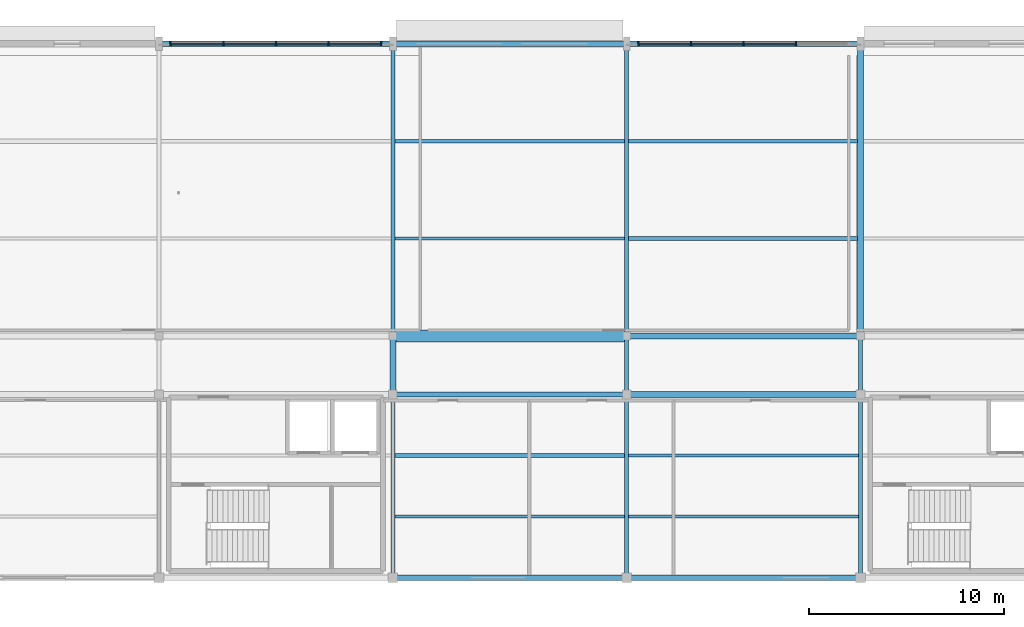
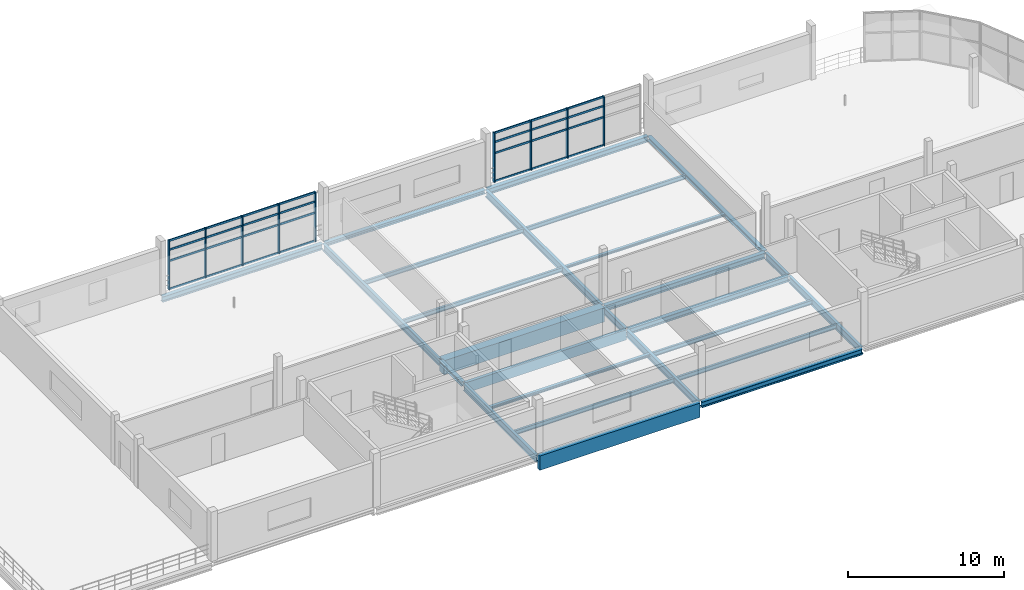
# One storey, part 2 of 13: 37 members, 26 beams, 2 elements without a shape of their own.
"""IFC4 building model written with IfcOpenShell, lengths in metres."""

from ifc_helpers import new_model, si_unit, direction, frame, origin, origin_2d, place, context, subcontext, project, spatial, rectangle, i_section, extrude, material, material_profile, profile_set, type_object, element, aggregate, save


model = new_model("IFC4")

# Units and contexts
model_context = context("Model", 3, precision=1e-05, world=origin(), true_north=direction((0.0, 1.0)))
body_context = subcontext(model_context, "Body", "Model", "MODEL_VIEW")
ifc_project = project(units=[si_unit("LENGTHUNIT", "METRE"), si_unit("AREAUNIT", "SQUARE_METRE"), si_unit("VOLUMEUNIT", "CUBIC_METRE"), si_unit("PLANEANGLEUNIT", "RADIAN"), si_unit("MASSUNIT", "GRAM", prefix="KILO"), si_unit("THERMODYNAMICTEMPERATUREUNIT", "KELVIN"), si_unit("POWERUNIT", "WATT")], contexts=[model_context])

# Site, building, storey
site_placement = place(None, origin())
site = spatial("IfcSite", under=ifc_project, at=site_placement, CompositionType="ELEMENT")
building_placement = place(site_placement, origin())
building = spatial("IfcBuilding", under=site, at=building_placement, Name="Solmara Park Aquatics Centre", CompositionType="ELEMENT")
storey_placement = place(building_placement, frame((0.0, 0.0, 14.39990234375)))
storey = spatial("IfcBuildingStorey", under=building, at=storey_placement, Name="L03", CompositionType="ELEMENT", Elevation=14.39990234375)

# Curtain wall, members
ifc_material_1 = material(Name="Anodised Aluminium Curtain Wall Framing", Category="aluminium")
curtain_wall_type = type_object("IfcCurtainWallType", Name="ARC-CW-SYS04", PredefinedType="USERDEFINED", material=ifc_material_1)
curtain_wall_1_placement = place(storey_placement, origin())
curtain_wall_1 = element("IfcCurtainWall", 1, at=curtain_wall_1_placement, inside=storey, type_object=curtain_wall_type, Name="Curtain Wall CW-130", ObjectType="CURTAIN WALL", PredefinedType="USERDEFINED")
ifc_material_2 = material(Name="Anodised Aluminium Alloy 6063-T6", Category="aluminium")
ifc_material_profile_1 = material_profile(ifc_material_2, rectangle(XDim=0.074951171875, YDim=0.219970703125, at=origin_2d()), Name="ALU MULLION 75x220")
ifc_profile_set_1 = profile_set([ifc_material_profile_1], Name="Anodised Aluminium Alloy 6063-T6")
member_type_1 = type_object("IfcMemberType", Name="ARC-CWM-75x220", PredefinedType="MULLION", material=ifc_profile_set_1)
member_1_placement = place(storey_placement, frame((49.199951171875, 136.0, 0.0), z_axis=(0.0, 0.0, 1.0), x_axis=(1.0, 0.0, 0.0)))
member_1 = element("IfcMember", 2, at=member_1_placement, type_object=member_type_1, Name="CW-130 mullion 1", PredefinedType="MULLION", context=body_context, shape_type="SweptSolid", body=[
    extrude(rectangle(XDim=0.074951171875, YDim=0.219970703125, at=origin_2d()), origin(), (0.0, 0.0, 1.0), 3.85009765625),
])
member_2_placement = place(storey_placement, frame((51.89990234375, 136.0, 0.0), z_axis=(0.0, 0.0, 1.0), x_axis=(1.0, 0.0, 0.0)))
member_2 = element("IfcMember", 3, at=member_2_placement, type_object=member_type_1, Name="CW-130 mullion 2", PredefinedType="MULLION", context=body_context, shape_type="SweptSolid", body=[
    extrude(rectangle(XDim=0.074951171875, YDim=0.219970703125, at=origin_2d()), origin(), (0.0, 0.0, 1.0), 3.85009765625),
])
member_3_placement = place(storey_placement, frame((54.60009765625, 136.0, 0.0), z_axis=(0.0, 0.0, 1.0), x_axis=(1.0, 0.0, 0.0)))
member_3 = element("IfcMember", 4, at=member_3_placement, type_object=member_type_1, Name="CW-130 mullion 3", PredefinedType="MULLION", context=body_context, shape_type="SweptSolid", body=[
    extrude(rectangle(XDim=0.074951171875, YDim=0.219970703125, at=origin_2d()), origin(), (0.0, 0.0, 1.0), 3.85009765625),
])
member_4_placement = place(storey_placement, frame((57.300048828125, 136.0, 0.0), z_axis=(0.0, 0.0, 1.0), x_axis=(1.0, 0.0, 0.0)))
member_4 = element("IfcMember", 5, at=member_4_placement, type_object=member_type_1, Name="CW-130 mullion 4", PredefinedType="MULLION", context=body_context, shape_type="SweptSolid", body=[
    extrude(rectangle(XDim=0.074951171875, YDim=0.219970703125, at=origin_2d()), origin(), (0.0, 0.0, 1.0), 3.85009765625),
])
member_5_placement = place(storey_placement, frame((60.0, 136.0, 0.0), z_axis=(0.0, 0.0, 1.0), x_axis=(1.0, 0.0, 0.0)))
member_5 = element("IfcMember", 6, at=member_5_placement, type_object=member_type_1, Name="CW-130 mullion 5", PredefinedType="MULLION", context=body_context, shape_type="SweptSolid", body=[
    extrude(rectangle(XDim=0.074951171875, YDim=0.219970703125, at=origin_2d()), origin(), (0.0, 0.0, 1.0), 3.85009765625),
])

curtain_wall_2_placement = place(storey_placement, origin())
curtain_wall_2 = element("IfcCurtainWall", 7, at=curtain_wall_2_placement, inside=storey, type_object=curtain_wall_type, Name="Curtain Wall CW-131", ObjectType="CURTAIN WALL", PredefinedType="USERDEFINED")
member_6_placement = place(storey_placement, frame((73.199951171875, 136.0, 0.0), z_axis=(0.0, 0.0, 1.0), x_axis=(1.0, 0.0, 0.0)))
member_6 = element("IfcMember", 8, at=member_6_placement, type_object=member_type_1, Name="CW-131 mullion 1", PredefinedType="MULLION", context=body_context, shape_type="SweptSolid", body=[
    extrude(rectangle(XDim=0.074951171875, YDim=0.219970703125, at=origin_2d()), origin(), (0.0, 0.0, 1.0), 3.85009765625),
])
member_7_placement = place(storey_placement, frame((75.89990234375, 136.0, 0.0), z_axis=(0.0, 0.0, 1.0), x_axis=(1.0, 0.0, 0.0)))
member_7 = element("IfcMember", 9, at=member_7_placement, type_object=member_type_1, Name="CW-131 mullion 2", PredefinedType="MULLION", context=body_context, shape_type="SweptSolid", body=[
    extrude(rectangle(XDim=0.074951171875, YDim=0.219970703125, at=origin_2d()), origin(), (0.0, 0.0, 1.0), 3.85009765625),
])
member_8_placement = place(storey_placement, frame((78.60009765625, 136.0, 0.0), z_axis=(0.0, 0.0, 1.0), x_axis=(1.0, 0.0, 0.0)))
member_8 = element("IfcMember", 10, at=member_8_placement, type_object=member_type_1, Name="CW-131 mullion 3", PredefinedType="MULLION", context=body_context, shape_type="SweptSolid", body=[
    extrude(rectangle(XDim=0.074951171875, YDim=0.219970703125, at=origin_2d()), origin(), (0.0, 0.0, 1.0), 3.85009765625),
])
member_9_placement = place(storey_placement, frame((81.300048828125, 136.0, 0.0), z_axis=(0.0, 0.0, 1.0), x_axis=(1.0, 0.0, 0.0)))
member_9 = element("IfcMember", 11, at=member_9_placement, type_object=member_type_1, Name="CW-131 mullion 4", PredefinedType="MULLION", context=body_context, shape_type="SweptSolid", body=[
    extrude(rectangle(XDim=0.074951171875, YDim=0.219970703125, at=origin_2d()), origin(), (0.0, 0.0, 1.0), 3.85009765625),
])

# Member
ifc_material_profile_2 = material_profile(ifc_material_2, rectangle(XDim=0.074951171875, YDim=0.14990234375, at=origin_2d()), Name="ALU TRANSOM 75x150")
ifc_profile_set_2 = profile_set([ifc_material_profile_2], Name="Anodised Aluminium Alloy 6063-T6")
member_type_2 = type_object("IfcMemberType", Name="ARC-CWT-75x150", PredefinedType="USERDEFINED", material=ifc_profile_set_2)
member_10_placement = place(storey_placement, frame((49.219970703125, 136.0, 0.0400390625), z_axis=(1.0, 0.0, 0.0), x_axis=(0.0, 1.0, 0.0)))
member_10 = element("IfcMember", 12, at=member_10_placement, type_object=member_type_2, Name="CW-130 transom 1", ObjectType="TRANSOM", PredefinedType="USERDEFINED", context=body_context, shape_type="SweptSolid", body=[
    extrude(rectangle(XDim=0.074951171875, YDim=0.14990234375, at=origin_2d()), origin(), (0.0, 0.0, 1.0), 2.6201171875),
])

member_11_placement = place(storey_placement, frame((49.219970703125, 136.0, 2.233154296875), z_axis=(1.0, 0.0, 0.0), x_axis=(0.0, 1.0, 0.0)))
member_11 = element("IfcMember", 13, at=member_11_placement, type_object=member_type_2, Name="CW-130 transom 2", ObjectType="TRANSOM", PredefinedType="USERDEFINED", context=body_context, shape_type="SweptSolid", body=[
    extrude(rectangle(XDim=0.074951171875, YDim=0.14990234375, at=origin_2d()), origin(), (0.0, 0.0, 1.0), 2.6201171875),
])

member_12_placement = place(storey_placement, frame((49.219970703125, 136.0, 3.10009765625), z_axis=(1.0, 0.0, 0.0), x_axis=(0.0, 1.0, 0.0)))
member_12 = element("IfcMember", 14, at=member_12_placement, type_object=member_type_2, Name="CW-130 transom 3", ObjectType="TRANSOM", PredefinedType="USERDEFINED", context=body_context, shape_type="SweptSolid", body=[
    extrude(rectangle(XDim=0.074951171875, YDim=0.14990234375, at=origin_2d()), origin(), (0.0, 0.0, 1.0), 2.6201171875),
])

member_13_placement = place(storey_placement, frame((49.219970703125, 136.0, 3.81005859375), z_axis=(1.0, 0.0, 0.0), x_axis=(0.0, 1.0, 0.0)))
member_13 = element("IfcMember", 15, at=member_13_placement, type_object=member_type_2, Name="CW-130 transom 4", ObjectType="TRANSOM", PredefinedType="USERDEFINED", context=body_context, shape_type="SweptSolid", body=[
    extrude(rectangle(XDim=0.074951171875, YDim=0.14990234375, at=origin_2d()), origin(), (0.0, 0.0, 1.0), 2.6201171875),
])

member_14_placement = place(storey_placement, frame((51.919921875, 136.0, 0.0400390625), z_axis=(1.0, 0.0, 0.0), x_axis=(0.0, 1.0, 0.0)))
member_14 = element("IfcMember", 16, at=member_14_placement, type_object=member_type_2, Name="CW-130 transom 5", ObjectType="TRANSOM", PredefinedType="USERDEFINED", context=body_context, shape_type="SweptSolid", body=[
    extrude(rectangle(XDim=0.074951171875, YDim=0.14990234375, at=origin_2d()), origin(), (0.0, 0.0, 1.0), 2.6201171875),
])

member_15_placement = place(storey_placement, frame((51.919921875, 136.0, 2.233154296875), z_axis=(1.0, 0.0, 0.0), x_axis=(0.0, 1.0, 0.0)))
member_15 = element("IfcMember", 17, at=member_15_placement, type_object=member_type_2, Name="CW-130 transom 6", ObjectType="TRANSOM", PredefinedType="USERDEFINED", context=body_context, shape_type="SweptSolid", body=[
    extrude(rectangle(XDim=0.074951171875, YDim=0.14990234375, at=origin_2d()), origin(), (0.0, 0.0, 1.0), 2.6201171875),
])

member_16_placement = place(storey_placement, frame((51.919921875, 136.0, 3.10009765625), z_axis=(1.0, 0.0, 0.0), x_axis=(0.0, 1.0, 0.0)))
member_16 = element("IfcMember", 18, at=member_16_placement, type_object=member_type_2, Name="CW-130 transom 7", ObjectType="TRANSOM", PredefinedType="USERDEFINED", context=body_context, shape_type="SweptSolid", body=[
    extrude(rectangle(XDim=0.074951171875, YDim=0.14990234375, at=origin_2d()), origin(), (0.0, 0.0, 1.0), 2.6201171875),
])

member_17_placement = place(storey_placement, frame((51.919921875, 136.0, 3.81005859375), z_axis=(1.0, 0.0, 0.0), x_axis=(0.0, 1.0, 0.0)))
member_17 = element("IfcMember", 19, at=member_17_placement, type_object=member_type_2, Name="CW-130 transom 8", ObjectType="TRANSOM", PredefinedType="USERDEFINED", context=body_context, shape_type="SweptSolid", body=[
    extrude(rectangle(XDim=0.074951171875, YDim=0.14990234375, at=origin_2d()), origin(), (0.0, 0.0, 1.0), 2.6201171875),
])

member_18_placement = place(storey_placement, frame((54.6201171875, 136.0, 0.0400390625), z_axis=(1.0, 0.0, 0.0), x_axis=(0.0, 1.0, 0.0)))
member_18 = element("IfcMember", 20, at=member_18_placement, type_object=member_type_2, Name="CW-130 transom 9", ObjectType="TRANSOM", PredefinedType="USERDEFINED", context=body_context, shape_type="SweptSolid", body=[
    extrude(rectangle(XDim=0.074951171875, YDim=0.14990234375, at=origin_2d()), origin(), (0.0, 0.0, 1.0), 2.619873046875),
])

member_19_placement = place(storey_placement, frame((54.6201171875, 136.0, 2.233154296875), z_axis=(1.0, 0.0, 0.0), x_axis=(0.0, 1.0, 0.0)))
member_19 = element("IfcMember", 21, at=member_19_placement, type_object=member_type_2, Name="CW-130 transom 10", ObjectType="TRANSOM", PredefinedType="USERDEFINED", context=body_context, shape_type="SweptSolid", body=[
    extrude(rectangle(XDim=0.074951171875, YDim=0.14990234375, at=origin_2d()), origin(), (0.0, 0.0, 1.0), 2.619873046875),
])

member_20_placement = place(storey_placement, frame((54.6201171875, 136.0, 3.10009765625), z_axis=(1.0, 0.0, 0.0), x_axis=(0.0, 1.0, 0.0)))
member_20 = element("IfcMember", 22, at=member_20_placement, type_object=member_type_2, Name="CW-130 transom 11", ObjectType="TRANSOM", PredefinedType="USERDEFINED", context=body_context, shape_type="SweptSolid", body=[
    extrude(rectangle(XDim=0.074951171875, YDim=0.14990234375, at=origin_2d()), origin(), (0.0, 0.0, 1.0), 2.619873046875),
])

member_21_placement = place(storey_placement, frame((54.6201171875, 136.0, 3.81005859375), z_axis=(1.0, 0.0, 0.0), x_axis=(0.0, 1.0, 0.0)))
member_21 = element("IfcMember", 23, at=member_21_placement, type_object=member_type_2, Name="CW-130 transom 12", ObjectType="TRANSOM", PredefinedType="USERDEFINED", context=body_context, shape_type="SweptSolid", body=[
    extrude(rectangle(XDim=0.074951171875, YDim=0.14990234375, at=origin_2d()), origin(), (0.0, 0.0, 1.0), 2.619873046875),
])

member_22_placement = place(storey_placement, frame((57.320068359375, 136.0, 0.0400390625), z_axis=(1.0, 0.0, 0.0), x_axis=(0.0, 1.0, 0.0)))
member_22 = element("IfcMember", 24, at=member_22_placement, type_object=member_type_2, Name="CW-130 transom 13", ObjectType="TRANSOM", PredefinedType="USERDEFINED", context=body_context, shape_type="SweptSolid", body=[
    extrude(rectangle(XDim=0.074951171875, YDim=0.14990234375, at=origin_2d()), origin(), (0.0, 0.0, 1.0), 2.619873046875),
])

member_23_placement = place(storey_placement, frame((57.320068359375, 136.0, 2.233154296875), z_axis=(1.0, 0.0, 0.0), x_axis=(0.0, 1.0, 0.0)))
member_23 = element("IfcMember", 25, at=member_23_placement, type_object=member_type_2, Name="CW-130 transom 14", ObjectType="TRANSOM", PredefinedType="USERDEFINED", context=body_context, shape_type="SweptSolid", body=[
    extrude(rectangle(XDim=0.074951171875, YDim=0.14990234375, at=origin_2d()), origin(), (0.0, 0.0, 1.0), 2.619873046875),
])

member_24_placement = place(storey_placement, frame((57.320068359375, 136.0, 3.10009765625), z_axis=(1.0, 0.0, 0.0), x_axis=(0.0, 1.0, 0.0)))
member_24 = element("IfcMember", 26, at=member_24_placement, type_object=member_type_2, Name="CW-130 transom 15", ObjectType="TRANSOM", PredefinedType="USERDEFINED", context=body_context, shape_type="SweptSolid", body=[
    extrude(rectangle(XDim=0.074951171875, YDim=0.14990234375, at=origin_2d()), origin(), (0.0, 0.0, 1.0), 2.619873046875),
])

member_25_placement = place(storey_placement, frame((57.320068359375, 136.0, 3.81005859375), z_axis=(1.0, 0.0, 0.0), x_axis=(0.0, 1.0, 0.0)))
member_25 = element("IfcMember", 27, at=member_25_placement, type_object=member_type_2, Name="CW-130 transom 16", ObjectType="TRANSOM", PredefinedType="USERDEFINED", context=body_context, shape_type="SweptSolid", body=[
    extrude(rectangle(XDim=0.074951171875, YDim=0.14990234375, at=origin_2d()), origin(), (0.0, 0.0, 1.0), 2.619873046875),
])

aggregate(curtain_wall_1, [member_1, member_2, member_3, member_4, member_5, member_10, member_11, member_12, member_13, member_14, member_15, member_16, member_17, member_18, member_19, member_20, member_21, member_22, member_23, member_24, member_25])

member_26_placement = place(storey_placement, frame((73.219970703125, 136.0, 0.0400390625), z_axis=(1.0, 0.0, 0.0), x_axis=(0.0, 1.0, 0.0)))
member_26 = element("IfcMember", 28, at=member_26_placement, type_object=member_type_2, Name="CW-131 transom 1", ObjectType="TRANSOM", PredefinedType="USERDEFINED", context=body_context, shape_type="SweptSolid", body=[
    extrude(rectangle(XDim=0.074951171875, YDim=0.14990234375, at=origin_2d()), origin(), (0.0, 0.0, 1.0), 2.6201171875),
])

member_27_placement = place(storey_placement, frame((73.219970703125, 136.0, 2.233154296875), z_axis=(1.0, 0.0, 0.0), x_axis=(0.0, 1.0, 0.0)))
member_27 = element("IfcMember", 29, at=member_27_placement, type_object=member_type_2, Name="CW-131 transom 2", ObjectType="TRANSOM", PredefinedType="USERDEFINED", context=body_context, shape_type="SweptSolid", body=[
    extrude(rectangle(XDim=0.074951171875, YDim=0.14990234375, at=origin_2d()), origin(), (0.0, 0.0, 1.0), 2.6201171875),
])

member_28_placement = place(storey_placement, frame((73.219970703125, 136.0, 3.10009765625), z_axis=(1.0, 0.0, 0.0), x_axis=(0.0, 1.0, 0.0)))
member_28 = element("IfcMember", 30, at=member_28_placement, type_object=member_type_2, Name="CW-131 transom 3", ObjectType="TRANSOM", PredefinedType="USERDEFINED", context=body_context, shape_type="SweptSolid", body=[
    extrude(rectangle(XDim=0.074951171875, YDim=0.14990234375, at=origin_2d()), origin(), (0.0, 0.0, 1.0), 2.6201171875),
])

member_29_placement = place(storey_placement, frame((73.219970703125, 136.0, 3.81005859375), z_axis=(1.0, 0.0, 0.0), x_axis=(0.0, 1.0, 0.0)))
member_29 = element("IfcMember", 31, at=member_29_placement, type_object=member_type_2, Name="CW-131 transom 4", ObjectType="TRANSOM", PredefinedType="USERDEFINED", context=body_context, shape_type="SweptSolid", body=[
    extrude(rectangle(XDim=0.074951171875, YDim=0.14990234375, at=origin_2d()), origin(), (0.0, 0.0, 1.0), 2.6201171875),
])

member_30_placement = place(storey_placement, frame((75.919921875, 136.0, 0.0400390625), z_axis=(1.0, 0.0, 0.0), x_axis=(0.0, 1.0, 0.0)))
member_30 = element("IfcMember", 32, at=member_30_placement, type_object=member_type_2, Name="CW-131 transom 5", ObjectType="TRANSOM", PredefinedType="USERDEFINED", context=body_context, shape_type="SweptSolid", body=[
    extrude(rectangle(XDim=0.074951171875, YDim=0.14990234375, at=origin_2d()), origin(), (0.0, 0.0, 1.0), 2.6201171875),
])

member_31_placement = place(storey_placement, frame((75.919921875, 136.0, 2.233154296875), z_axis=(1.0, 0.0, 0.0), x_axis=(0.0, 1.0, 0.0)))
member_31 = element("IfcMember", 33, at=member_31_placement, type_object=member_type_2, Name="CW-131 transom 6", ObjectType="TRANSOM", PredefinedType="USERDEFINED", context=body_context, shape_type="SweptSolid", body=[
    extrude(rectangle(XDim=0.074951171875, YDim=0.14990234375, at=origin_2d()), origin(), (0.0, 0.0, 1.0), 2.6201171875),
])

member_32_placement = place(storey_placement, frame((75.919921875, 136.0, 3.10009765625), z_axis=(1.0, 0.0, 0.0), x_axis=(0.0, 1.0, 0.0)))
member_32 = element("IfcMember", 34, at=member_32_placement, type_object=member_type_2, Name="CW-131 transom 7", ObjectType="TRANSOM", PredefinedType="USERDEFINED", context=body_context, shape_type="SweptSolid", body=[
    extrude(rectangle(XDim=0.074951171875, YDim=0.14990234375, at=origin_2d()), origin(), (0.0, 0.0, 1.0), 2.6201171875),
])

member_33_placement = place(storey_placement, frame((75.919921875, 136.0, 3.81005859375), z_axis=(1.0, 0.0, 0.0), x_axis=(0.0, 1.0, 0.0)))
member_33 = element("IfcMember", 35, at=member_33_placement, type_object=member_type_2, Name="CW-131 transom 8", ObjectType="TRANSOM", PredefinedType="USERDEFINED", context=body_context, shape_type="SweptSolid", body=[
    extrude(rectangle(XDim=0.074951171875, YDim=0.14990234375, at=origin_2d()), origin(), (0.0, 0.0, 1.0), 2.6201171875),
])

member_34_placement = place(storey_placement, frame((78.6201171875, 136.0, 0.0400390625), z_axis=(1.0, 0.0, 0.0), x_axis=(0.0, 1.0, 0.0)))
member_34 = element("IfcMember", 36, at=member_34_placement, type_object=member_type_2, Name="CW-131 transom 9", ObjectType="TRANSOM", PredefinedType="USERDEFINED", context=body_context, shape_type="SweptSolid", body=[
    extrude(rectangle(XDim=0.074951171875, YDim=0.14990234375, at=origin_2d()), origin(), (0.0, 0.0, 1.0), 2.619873046875),
])

member_35_placement = place(storey_placement, frame((78.6201171875, 136.0, 2.233154296875), z_axis=(1.0, 0.0, 0.0), x_axis=(0.0, 1.0, 0.0)))
member_35 = element("IfcMember", 37, at=member_35_placement, type_object=member_type_2, Name="CW-131 transom 10", ObjectType="TRANSOM", PredefinedType="USERDEFINED", context=body_context, shape_type="SweptSolid", body=[
    extrude(rectangle(XDim=0.074951171875, YDim=0.14990234375, at=origin_2d()), origin(), (0.0, 0.0, 1.0), 2.619873046875),
])

member_36_placement = place(storey_placement, frame((78.6201171875, 136.0, 3.10009765625), z_axis=(1.0, 0.0, 0.0), x_axis=(0.0, 1.0, 0.0)))
member_36 = element("IfcMember", 38, at=member_36_placement, type_object=member_type_2, Name="CW-131 transom 11", ObjectType="TRANSOM", PredefinedType="USERDEFINED", context=body_context, shape_type="SweptSolid", body=[
    extrude(rectangle(XDim=0.074951171875, YDim=0.14990234375, at=origin_2d()), origin(), (0.0, 0.0, 1.0), 2.619873046875),
])

member_37_placement = place(storey_placement, frame((78.6201171875, 136.0, 3.81005859375), z_axis=(1.0, 0.0, 0.0), x_axis=(0.0, 1.0, 0.0)))
member_37 = element("IfcMember", 39, at=member_37_placement, type_object=member_type_2, Name="CW-131 transom 12", ObjectType="TRANSOM", PredefinedType="USERDEFINED", context=body_context, shape_type="SweptSolid", body=[
    extrude(rectangle(XDim=0.074951171875, YDim=0.14990234375, at=origin_2d()), origin(), (0.0, 0.0, 1.0), 2.619873046875),
])

aggregate(curtain_wall_2, [member_6, member_7, member_8, member_9, member_26, member_27, member_28, member_29, member_30, member_31, member_32, member_33, member_34, member_35, member_36, member_37])

# Beams
ifc_material_3 = material(Name="Glulam Timber GL28h", Category="wood")
ifc_material_profile_3 = material_profile(ifc_material_3, rectangle(XDim=0.239990234375, YDim=0.800048828125, at=origin_2d()), Name="GL28h 240x800")
ifc_profile_set_3 = profile_set([ifc_material_profile_3], Name="Glulam Timber GL28h")
beam_type_1 = type_object("IfcBeamType", Name="STR-BM-GL240x800", PredefinedType="BEAM", material=ifc_profile_set_3)
beam_1_placement = place(storey_placement, frame((60.679931640625, 118.0, -0.719970703125), z_axis=(1.0, 0.0, 0.0), x_axis=(0.0, 1.0, 0.0)))
element("IfcBeam", 40, at=beam_1_placement, inside=storey, type_object=beam_type_1, Name="Girder BM-L03-0444", PredefinedType="BEAM", context=body_context, shape_type="SweptSolid", body=[
    extrude(rectangle(XDim=0.239990234375, YDim=0.800048828125, at=origin_2d()), origin(), (0.0, 0.0, 1.0), 11.840087890625),
])
ifc_material_profile_4 = material_profile(ifc_material_3, rectangle(XDim=0.300048828125, YDim=1.1201171875, at=origin_2d()), Name="GL28h 300x1120")
ifc_profile_set_4 = profile_set([ifc_material_profile_4], Name="Glulam Timber GL28h")
beam_type_2 = type_object("IfcBeamType", Name="STR-BM-GL300x1120", PredefinedType="BEAM", material=ifc_profile_set_4)
beam_2_placement = place(storey_placement, frame((60.679931640625, 108.60009765625, -0.8798828125), z_axis=(1.0, 0.0, 0.0), x_axis=(0.0, 1.0, 0.0)))
element("IfcBeam", 41, at=beam_2_placement, inside=storey, type_object=beam_type_2, Name="Girder BM-L03-0438", PredefinedType="BEAM", context=body_context, shape_type="SweptSolid", body=[
    extrude(rectangle(XDim=0.300048828125, YDim=1.1201171875, at=origin_2d()), origin(), (0.0, 0.0, 1.0), 11.840087890625),
])
ifc_material_4 = material(Name="Structural Steel S355", Category="steel")
ifc_material_profile_5 = material_profile(ifc_material_4, i_section(OverallWidth=0.300048828125, OverallDepth=0.31005859375, WebThickness=0.009033203125, FlangeThickness=0.015380859375, FilletRadius=0.027099609375, at=origin_2d()), Name="HEA 320")
ifc_profile_set_5 = profile_set([ifc_material_profile_5], Name="Structural Steel S355")
beam_type_3 = type_object("IfcBeamType", Name="STR-BM-HEA320", PredefinedType="BEAM", material=ifc_profile_set_5)
beam_3_placement = place(storey_placement, frame((84.60009765625, 121.080078125, -0.474853515625), z_axis=(0.0, 1.0, 0.0), x_axis=(-1.0, 0.0, 0.0)))
element("IfcBeam", 42, at=beam_3_placement, inside=storey, type_object=beam_type_3, Name="Girder BM-L03-0476", PredefinedType="BEAM", context=body_context, shape_type="SweptSolid", body=[
    extrude(i_section(OverallWidth=0.300048828125, OverallDepth=0.31005859375, WebThickness=0.009033203125, FlangeThickness=0.015380859375, FilletRadius=0.027099609375, at=origin_2d()), origin(), (0.0, 0.0, 1.0), 14.83984375),
])
ifc_material_profile_6 = material_profile(ifc_material_4, i_section(OverallWidth=0.300048828125, OverallDepth=0.330078125, WebThickness=0.009521484375, FlangeThickness=0.0166015625, FilletRadius=0.027099609375, at=origin_2d()), Name="HEA 340")
ifc_profile_set_6 = profile_set([ifc_material_profile_6], Name="Structural Steel S355")
beam_type_4 = type_object("IfcBeamType", Name="STR-BM-HEA340", PredefinedType="BEAM", material=ifc_profile_set_6)
beam_4_placement = place(storey_placement, frame((60.60009765625, 118.080078125, -0.48486328125), z_axis=(0.0, 1.0, 0.0), x_axis=(-1.0, 0.0, 0.0)))
element("IfcBeam", 43, at=beam_4_placement, inside=storey, type_object=beam_type_4, Name="Girder BM-L03-0469", PredefinedType="BEAM", context=body_context, shape_type="SweptSolid", body=[
    extrude(i_section(OverallWidth=0.300048828125, OverallDepth=0.330078125, WebThickness=0.009521484375, FlangeThickness=0.0166015625, FilletRadius=0.027099609375, at=origin_2d()), origin(), (0.0, 0.0, 1.0), 2.83984375),
])
ifc_material_profile_7 = material_profile(ifc_material_4, i_section(OverallWidth=0.300048828125, OverallDepth=0.43994140625, WebThickness=0.011474609375, FlangeThickness=0.02099609375, FilletRadius=0.027099609375, at=origin_2d()), Name="HEA 450")
ifc_profile_set_7 = profile_set([ifc_material_profile_7], Name="Structural Steel S355")
beam_type_5 = type_object("IfcBeamType", Name="STR-BM-HEA450", PredefinedType="BEAM", material=ifc_profile_set_7)
for number, where, z_axis, x_axis, name in (
    (44, (72.679931640625, 108.60009765625, -0.539794921875), (1.0, 0.0, 0.0), (0.0, 1.0, 0.0), "Girder BM-L03-0439"),
    (45, (72.679931640625, 118.0, -0.539794921875), (1.0, 0.0, 0.0), (0.0, 1.0, 0.0), "Girder BM-L03-0445"),
    (46, (72.679931640625, 121.0, -0.539794921875), (1.0, 0.0, 0.0), (0.0, 1.0, 0.0), "Girder BM-L03-0451"),
    (47, (48.679931640625, 136.0, -0.539794921875), (1.0, 0.0, 0.0), (0.0, 1.0, 0.0), "Girder BM-L03-0455"),
    (48, (72.679931640625, 136.0, -0.539794921875), (1.0, 0.0, 0.0), (0.0, 1.0, 0.0), "Girder BM-L03-0457"),
):
    element("IfcBeam", number, at=place(storey_placement, frame(where, z_axis=z_axis, x_axis=x_axis)), inside=storey, type_object=beam_type_5, Name=name, PredefinedType="BEAM", context=body_context, shape_type="SweptSolid", body=[
        extrude(i_section(OverallWidth=0.300048828125, OverallDepth=0.43994140625, WebThickness=0.011474609375, FlangeThickness=0.02099609375, FilletRadius=0.027099609375, at=origin_2d()), origin(), (0.0, 0.0, 1.0), 11.840087890625),
    ])
ifc_material_profile_8 = material_profile(ifc_material_4, i_section(OverallWidth=0.2099609375, OverallDepth=0.550048828125, WebThickness=0.010986328125, FlangeThickness=0.01708984375, FilletRadius=0.02392578125, at=origin_2d()), Name="IPE 550")
ifc_profile_set_8 = profile_set([ifc_material_profile_8], Name="Structural Steel S355")
beam_type_6 = type_object("IfcBeamType", Name="STR-BM-IPE550", PredefinedType="BEAM", material=ifc_profile_set_8)
beam_5_placement = place(storey_placement, frame((60.60009765625, 108.679931640625, -0.594970703125), z_axis=(0.0, 1.0, 0.0), x_axis=(-1.0, 0.0, 0.0)))
element("IfcBeam", 49, at=beam_5_placement, inside=storey, type_object=beam_type_6, Name="Girder BM-L03-0468", PredefinedType="BEAM", context=body_context, shape_type="SweptSolid", body=[
    extrude(i_section(OverallWidth=0.2099609375, OverallDepth=0.550048828125, WebThickness=0.010986328125, FlangeThickness=0.01708984375, FilletRadius=0.02392578125, at=origin_2d()), origin(), (0.0, 0.0, 1.0), 9.239990234375),
])
beam_6_placement = place(storey_placement, frame((60.60009765625, 121.080078125, -0.594970703125), z_axis=(0.0, 1.0, 0.0), x_axis=(-1.0, 0.0, 0.0)))
element("IfcBeam", 50, at=beam_6_placement, inside=storey, type_object=beam_type_6, Name="Girder BM-L03-0470", PredefinedType="BEAM", context=body_context, shape_type="SweptSolid", body=[
    extrude(i_section(OverallWidth=0.2099609375, OverallDepth=0.550048828125, WebThickness=0.010986328125, FlangeThickness=0.01708984375, FilletRadius=0.02392578125, at=origin_2d()), origin(), (0.0, 0.0, 1.0), 14.83984375),
])
beam_7_placement = place(storey_placement, frame((72.60009765625, 108.679931640625, -0.594970703125), z_axis=(0.0, 1.0, 0.0), x_axis=(-1.0, 0.0, 0.0)))
element("IfcBeam", 51, at=beam_7_placement, inside=storey, type_object=beam_type_6, Name="Girder BM-L03-0471", PredefinedType="BEAM", context=body_context, shape_type="SweptSolid", body=[
    extrude(i_section(OverallWidth=0.2099609375, OverallDepth=0.550048828125, WebThickness=0.010986328125, FlangeThickness=0.01708984375, FilletRadius=0.02392578125, at=origin_2d()), origin(), (0.0, 0.0, 1.0), 9.239990234375),
])
beam_8_placement = place(storey_placement, frame((72.60009765625, 118.080078125, -0.594970703125), z_axis=(0.0, 1.0, 0.0), x_axis=(-1.0, 0.0, 0.0)))
element("IfcBeam", 52, at=beam_8_placement, inside=storey, type_object=beam_type_6, Name="Girder BM-L03-0472", PredefinedType="BEAM", context=body_context, shape_type="SweptSolid", body=[
    extrude(i_section(OverallWidth=0.2099609375, OverallDepth=0.550048828125, WebThickness=0.010986328125, FlangeThickness=0.01708984375, FilletRadius=0.02392578125, at=origin_2d()), origin(), (0.0, 0.0, 1.0), 2.83984375),
])
beam_9_placement = place(storey_placement, frame((72.60009765625, 121.080078125, -0.594970703125), z_axis=(0.0, 1.0, 0.0), x_axis=(-1.0, 0.0, 0.0)))
element("IfcBeam", 53, at=beam_9_placement, inside=storey, type_object=beam_type_6, Name="Girder BM-L03-0473", PredefinedType="BEAM", context=body_context, shape_type="SweptSolid", body=[
    extrude(i_section(OverallWidth=0.2099609375, OverallDepth=0.550048828125, WebThickness=0.010986328125, FlangeThickness=0.01708984375, FilletRadius=0.02392578125, at=origin_2d()), origin(), (0.0, 0.0, 1.0), 14.83984375),
])
beam_10_placement = place(storey_placement, frame((84.60009765625, 108.679931640625, -0.594970703125), z_axis=(0.0, 1.0, 0.0), x_axis=(-1.0, 0.0, 0.0)))
element("IfcBeam", 54, at=beam_10_placement, inside=storey, type_object=beam_type_6, Name="Girder BM-L03-0474", PredefinedType="BEAM", context=body_context, shape_type="SweptSolid", body=[
    extrude(i_section(OverallWidth=0.2099609375, OverallDepth=0.550048828125, WebThickness=0.010986328125, FlangeThickness=0.01708984375, FilletRadius=0.02392578125, at=origin_2d()), origin(), (0.0, 0.0, 1.0), 9.239990234375),
])
beam_11_placement = place(storey_placement, frame((84.60009765625, 118.080078125, -0.594970703125), z_axis=(0.0, 1.0, 0.0), x_axis=(-1.0, 0.0, 0.0)))
element("IfcBeam", 55, at=beam_11_placement, inside=storey, type_object=beam_type_6, Name="Girder BM-L03-0475", PredefinedType="BEAM", context=body_context, shape_type="SweptSolid", body=[
    extrude(i_section(OverallWidth=0.2099609375, OverallDepth=0.550048828125, WebThickness=0.010986328125, FlangeThickness=0.01708984375, FilletRadius=0.02392578125, at=origin_2d()), origin(), (0.0, 0.0, 1.0), 2.83984375),
])
ifc_material_5 = material(Name="Concrete C40/50", Category="concrete")
ifc_material_profile_9 = material_profile(ifc_material_5, rectangle(XDim=0.60009765625, YDim=1.10009765625, at=origin_2d()), Name="RC 600x1100")
ifc_profile_set_9 = profile_set([ifc_material_profile_9], Name="Concrete C40/50")
beam_type_7 = type_object("IfcBeamType", Name="STR-BM-RC600x1100", PredefinedType="BEAM", material=ifc_profile_set_9)
beam_12_placement = place(storey_placement, frame((60.679931640625, 121.0, -0.869873046875), z_axis=(1.0, 0.0, 0.0), x_axis=(0.0, 1.0, 0.0)))
element("IfcBeam", 56, at=beam_12_placement, inside=storey, type_object=beam_type_7, Name="Girder BM-L03-0450", PredefinedType="BEAM", context=body_context, shape_type="SweptSolid", body=[
    extrude(rectangle(XDim=0.60009765625, YDim=1.10009765625, at=origin_2d()), origin(), (0.0, 0.0, 1.0), 11.840087890625),
])
ifc_material_profile_10 = material_profile(ifc_material_4, i_section(OverallWidth=0.199951171875, OverallDepth=0.18994140625, WebThickness=0.006591796875, FlangeThickness=0.010009765625, FilletRadius=0.01806640625, at=origin_2d()), Name="HEA 200")
ifc_profile_set_10 = profile_set([ifc_material_profile_10], Name="Structural Steel S355")
beam_type_8 = type_object("IfcBeamType", Name="STR-JST-HEA200", PredefinedType="JOIST", material=ifc_profile_set_10)
beam_13_placement = place(storey_placement, frame((72.705078125, 126.0, -0.414794921875), z_axis=(1.0, 0.0, 0.0), x_axis=(0.0, 1.0, 0.0)))
element("IfcBeam", 57, at=beam_13_placement, inside=storey, type_object=beam_type_8, Name="Floor Joist JST-L03-0259", PredefinedType="JOIST", context=body_context, shape_type="SweptSolid", body=[
    extrude(i_section(OverallWidth=0.199951171875, OverallDepth=0.18994140625, WebThickness=0.006591796875, FlangeThickness=0.010009765625, FilletRadius=0.01806640625, at=origin_2d()), origin(), (0.0, 0.0, 1.0), 11.744873046875),
])
ifc_material_profile_11 = material_profile(ifc_material_4, i_section(OverallWidth=0.219970703125, OverallDepth=0.2099609375, WebThickness=0.007080078125, FlangeThickness=0.010986328125, FilletRadius=0.01806640625, at=origin_2d()), Name="HEA 220")
ifc_profile_set_11 = profile_set([ifc_material_profile_11], Name="Structural Steel S355")
beam_type_9 = type_object("IfcBeamType", Name="STR-JST-HEA220", PredefinedType="JOIST", material=ifc_profile_set_11)
beam_14_placement = place(storey_placement, frame((60.705078125, 114.86669921875, -0.4248046875), z_axis=(1.0, 0.0, 0.0), x_axis=(0.0, 1.0, 0.0)))
element("IfcBeam", 58, at=beam_14_placement, inside=storey, type_object=beam_type_9, Name="Floor Joist JST-L03-0254", PredefinedType="JOIST", context=body_context, shape_type="SweptSolid", body=[
    extrude(i_section(OverallWidth=0.219970703125, OverallDepth=0.2099609375, WebThickness=0.007080078125, FlangeThickness=0.010986328125, FilletRadius=0.01806640625, at=origin_2d()), origin(), (0.0, 0.0, 1.0), 11.7900390625),
])
ifc_material_profile_12 = material_profile(ifc_material_4, i_section(OverallWidth=0.159912109375, OverallDepth=0.330078125, WebThickness=0.007568359375, FlangeThickness=0.011474609375, FilletRadius=0.01806640625, at=origin_2d()), Name="IPE 330")
ifc_profile_set_12 = profile_set([ifc_material_profile_12], Name="Structural Steel S355")
beam_type_10 = type_object("IfcBeamType", Name="STR-JST-IPE330", PredefinedType="JOIST", material=ifc_profile_set_12)
for number, where, z_axis, x_axis, name in (
    (59, (60.705078125, 111.7333984375, -0.48486328125), (1.0, 0.0, 0.0), (0.0, 1.0, 0.0), "Floor Joist JST-L03-0253"),
    (60, (60.705078125, 126.0, -0.48486328125), (1.0, 0.0, 0.0), (0.0, 1.0, 0.0), "Floor Joist JST-L03-0255"),
    (61, (60.705078125, 131.0, -0.48486328125), (1.0, 0.0, 0.0), (0.0, 1.0, 0.0), "Floor Joist JST-L03-0256"),
    (62, (72.705078125, 111.7333984375, -0.48486328125), (1.0, 0.0, 0.0), (0.0, 1.0, 0.0), "Floor Joist JST-L03-0257"),
    (63, (72.705078125, 114.86669921875, -0.48486328125), (1.0, 0.0, 0.0), (0.0, 1.0, 0.0), "Floor Joist JST-L03-0258"),
):
    element("IfcBeam", number, at=place(storey_placement, frame(where, z_axis=z_axis, x_axis=x_axis)), inside=storey, type_object=beam_type_10, Name=name, PredefinedType="JOIST", context=body_context, shape_type="SweptSolid", body=[
        extrude(i_section(OverallWidth=0.159912109375, OverallDepth=0.330078125, WebThickness=0.007568359375, FlangeThickness=0.011474609375, FilletRadius=0.01806640625, at=origin_2d()), origin(), (0.0, 0.0, 1.0), 11.7900390625),
    ])
beam_15_placement = place(storey_placement, frame((72.705078125, 131.0, -0.48486328125), z_axis=(1.0, 0.0, 0.0), x_axis=(0.0, 1.0, 0.0)))
element("IfcBeam", 64, at=beam_15_placement, inside=storey, type_object=beam_type_10, Name="Floor Joist JST-L03-0260", PredefinedType="JOIST", context=body_context, shape_type="SweptSolid", body=[
    extrude(i_section(OverallWidth=0.159912109375, OverallDepth=0.330078125, WebThickness=0.007568359375, FlangeThickness=0.011474609375, FilletRadius=0.01806640625, at=origin_2d()), origin(), (0.0, 0.0, 1.0), 11.744873046875),
])
ifc_material_profile_13 = material_profile(ifc_material_4, i_section(OverallWidth=0.300048828125, OverallDepth=0.2900390625, WebThickness=0.008544921875, FlangeThickness=0.013916015625, FilletRadius=0.027099609375, at=origin_2d()), Name="HEA 300")
ifc_profile_set_13 = profile_set([ifc_material_profile_13], Name="Structural Steel S355")
beam_type_11 = type_object("IfcBeamType", Name="STR-SPD-HEA300", PredefinedType="SPANDREL", material=ifc_profile_set_13)
beam_16_placement = place(storey_placement, frame((60.679931640625, 136.0, -0.46484375), z_axis=(1.0, 0.0, 0.0), x_axis=(0.0, 1.0, 0.0)))
element("IfcBeam", 65, at=beam_16_placement, inside=storey, type_object=beam_type_11, Name="Girder BM-L03-0456", PredefinedType="SPANDREL", context=body_context, shape_type="SweptSolid", body=[
    extrude(i_section(OverallWidth=0.300048828125, OverallDepth=0.2900390625, WebThickness=0.008544921875, FlangeThickness=0.013916015625, FilletRadius=0.027099609375, at=origin_2d()), origin(), (0.0, 0.0, 1.0), 11.840087890625),
])

save(model, "model.ifc")
